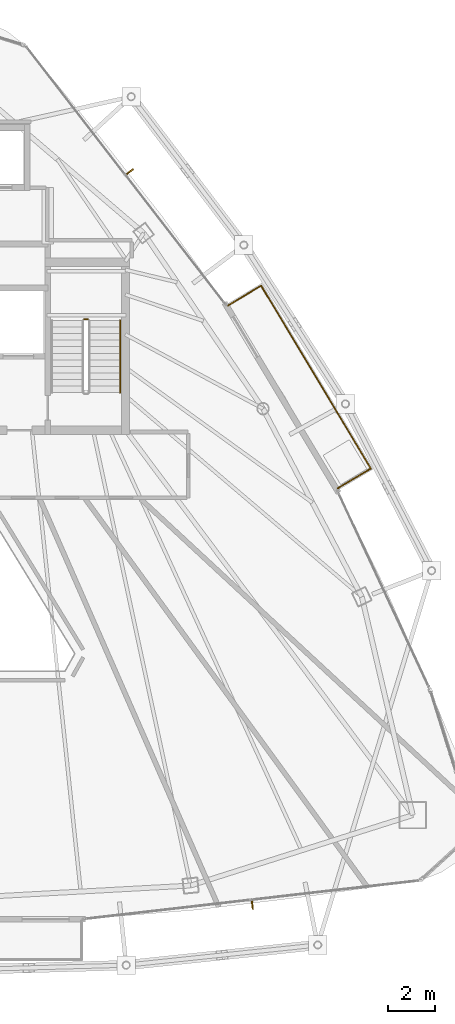
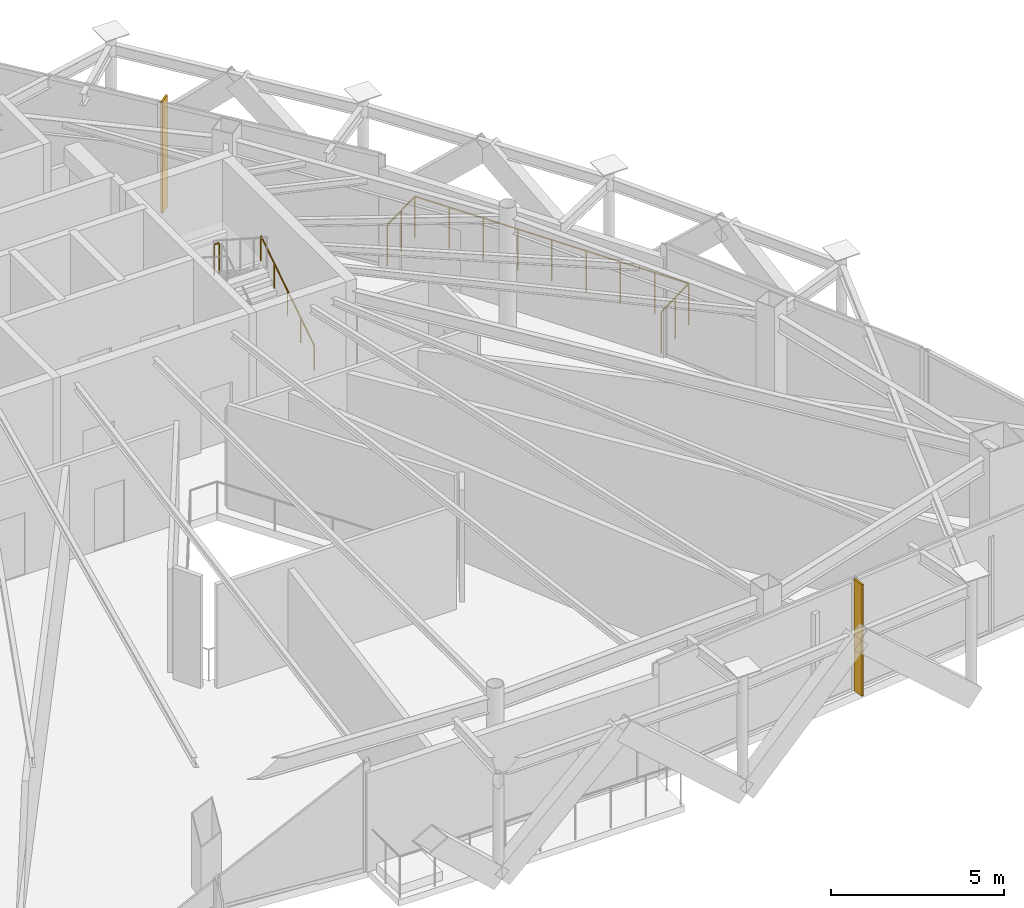
# One storey, part 22 of 22: 3 railings, 2 shading devices.
"""IFC4 building model written with IfcOpenShell, lengths in metres."""

from ifc_helpers import new_model, si_unit, direction, frame, origin, origin_2d, place, context, subcontext, project, spatial, rectangle, circle, extrude, material, layer, layer_set, type_object, element, save


model = new_model("IFC4")

# Units and contexts
model_context = context("Model", 3, precision=1e-05, world=origin(), true_north=direction((0.0, 1.0)))
body_context = subcontext(model_context, "Body", "Model", "MODEL_VIEW")
ifc_project = project(units=[si_unit("LENGTHUNIT", "METRE"), si_unit("AREAUNIT", "SQUARE_METRE"), si_unit("VOLUMEUNIT", "CUBIC_METRE"), si_unit("PLANEANGLEUNIT", "RADIAN"), si_unit("MASSUNIT", "GRAM", prefix="KILO")], contexts=[model_context])

# Site, building, storey
site_placement = place(None, origin())
site = spatial("IfcSite", under=ifc_project, at=site_placement, CompositionType="ELEMENT")
building_placement = place(site_placement, origin())
building = spatial("IfcBuilding", under=site, at=building_placement, Name="Orvanel Arch Residences", CompositionType="ELEMENT")
storey_placement = place(building_placement, frame((0.0, 0.0, 276.64990234375)))
storey = spatial("IfcBuildingStorey", under=building, at=storey_placement, Name="L79", CompositionType="ELEMENT", Elevation=276.64990234375)

# Shading devices
ifc_material_1 = material(Name="Bronze-anodised aluminium AA6063-T6", Category="aluminium")
ifc_layer = layer(ifc_material_1, 0.06005859375)
ifc_layer_set = layer_set([ifc_layer], Name="Bronze-anodised aluminium AA6063-T6")
shading_device_type = type_object("IfcShadingDeviceType", Name="FIN-BRZ-380", PredefinedType="USERDEFINED", material=ifc_layer_set)
for number, where, z_axis, x_axis, name in (
    (1, (44.97607421875, 6.530029296875, 0.0), (0.0, 0.0, 1.0), (0.113203213768, -0.993571855677, 0.0), "L79 Anodised Bronze Mullion FIN 01"),
    (2, (39.757080078125, 37.716064453125, 0.0), (0.0, 0.0, 1.0), (0.791223532967, 0.611527040186, 0.0), "L79 Anodised Bronze Mullion FIN 01"),
):
    element("IfcShadingDevice", number, at=place(storey_placement, frame(where, z_axis=z_axis, x_axis=x_axis)), inside=storey, type_object=shading_device_type, Name=name, ObjectType="FIN", PredefinedType="USERDEFINED", context=body_context, shape_type="SweptSolid", body=[
        extrude(rectangle(XDim=0.3798828125, YDim=0.06005859375, at=origin_2d()), origin(), (0.0, 0.0, 1.0), 3.949951171875),
    ])

# Railings
railing_type_1 = type_object("IfcRailingType", Name="RL-BAL-1480", PredefinedType="BALUSTRADE", material=ifc_material_1)
railing_1_placement = place(storey_placement, frame((48.60791015625, 24.251953125, 0.0)))
element("IfcRailing", 3, at=railing_1_placement, inside=storey, type_object=railing_type_1, Name="L79 Balcony Perimeter Guardrail Face 3", PredefinedType="BALUSTRADE", context=body_context, shape_type="SweptSolid", body=[
    extrude(circle(Radius=0.02392578125, at=origin_2d()), frame((0.001220703125, 0.000732421875, 1.4560546875), z_axis=(0.857545439568, 0.514408222208, 0.0), x_axis=(-0.514408222208, 0.857545439568, 0.0)), (0.0, 0.0, 1.0), 1.6376953125),
    extrude(circle(Radius=0.02392578125, at=origin_2d()), frame((1.40625, 0.84521484375, 1.4560546875), z_axis=(-0.514408668721, 0.857545171722, 0.0), x_axis=(-0.857545171722, -0.514408668721, 0.0)), (0.0, 0.0, 1.0), 9.067138671875),
    extrude(circle(Radius=0.02392578125, at=origin_2d()), frame((-3.260009765625, 8.621337890625, 1.4560546875), z_axis=(-0.857387817543, -0.514670895164, 0.0), x_axis=(0.514670895164, -0.857387817543, 0.0)), (0.0, 0.0, 1.0), 1.636962890625),
    extrude(circle(Radius=0.02099609375, at=origin_2d()), origin(), (0.0, 0.0, 1.0), 1.429931640625),
    extrude(circle(Radius=0.02099609375, at=origin_2d()), frame((0.70361328125, 0.421875, 0.0)), (0.0, 0.0, 1.0), 1.429931640625),
    extrude(circle(Radius=0.02099609375, at=origin_2d()), frame((1.406982421875, 0.843994140625, 0.0)), (0.0, 0.0, 1.0), 1.429931640625),
    extrude(circle(Radius=0.02099609375, at=origin_2d()), frame((0.82373046875, 1.816162109375, 0.0)), (0.0, 0.0, 1.0), 1.429931640625),
    extrude(circle(Radius=0.02099609375, at=origin_2d()), frame((0.240478515625, 2.78857421875, 0.0)), (0.0, 0.0, 1.0), 1.429931640625),
    extrude(circle(Radius=0.02099609375, at=origin_2d()), frame((-0.3427734375, 3.7607421875, 0.0)), (0.0, 0.0, 1.0), 1.429931640625),
    extrude(circle(Radius=0.02099609375, at=origin_2d()), frame((-0.92578125, 4.73291015625, 0.0)), (0.0, 0.0, 1.0), 1.429931640625),
    extrude(circle(Radius=0.02099609375, at=origin_2d()), frame((-1.509033203125, 5.705322265625, 0.0)), (0.0, 0.0, 1.0), 1.429931640625),
    extrude(circle(Radius=0.02099609375, at=origin_2d()), frame((-2.09228515625, 6.677490234375, 0.0)), (0.0, 0.0, 1.0), 1.429931640625),
    extrude(circle(Radius=0.02099609375, at=origin_2d()), frame((-2.675537109375, 7.64990234375, 0.0)), (0.0, 0.0, 1.0), 1.429931640625),
    extrude(circle(Radius=0.02099609375, at=origin_2d()), frame((-3.2587890625, 8.6220703125, 0.0)), (0.0, 0.0, 1.0), 1.429931640625),
    extrude(circle(Radius=0.02099609375, at=origin_2d()), frame((-3.9619140625, 8.2001953125, 0.0)), (0.0, 0.0, 1.0), 1.429931640625),
    extrude(circle(Radius=0.02099609375, at=origin_2d()), frame((-4.664794921875, 7.778076171875, 0.0)), (0.0, 0.0, 1.0), 1.429931640625),
])
ifc_material_2 = material(Name="Structural steel AS/NZS 1163 C350L0 (Grade 350)", Category="steel")
railing_type_2 = type_object("IfcRailingType", Name="RL-STAIR-GUARD", PredefinedType="GUARDRAIL", material=ifc_material_2)
railing_2_placement = place(storey_placement, frame((37.97998046875, 31.449951171875, 2.175048828125)))
element("IfcRailing", 4, at=railing_2_placement, inside=storey, type_object=railing_type_2, Name="L79 ST-2 stair guard 2", PredefinedType="GUARDRAIL", context=body_context, shape_type="SweptSolid", body=[
    extrude(circle(Radius=0.02392578125, at=origin_2d()), frame((-0.00146484375, 0.0, 1.076171875), z_axis=(-1.0, 0.0, 0.0), x_axis=(0.0, -1.0, 0.0)), (0.0, 0.0, 1.0), 0.156982421875),
    extrude(circle(Radius=0.02099609375, at=origin_2d()), origin(), (0.0, 0.0, 1.0), 1.050048828125),
    extrude(circle(Radius=0.02099609375, at=origin_2d()), frame((-0.159912109375, 0.0, 0.0)), (0.0, 0.0, 1.0), 1.050048828125),
])
railing_type_3 = type_object("IfcRailingType", Name="RL-STAIR-HAND", PredefinedType="HANDRAIL", material=ifc_material_2)
railing_3_placement = place(storey_placement, frame((39.35009765625, 28.320068359375, 0.181396484375)))
element("IfcRailing", 5, at=railing_3_placement, inside=storey, type_object=railing_type_3, Name="L79 ST-2 stair handrail 1", PredefinedType="HANDRAIL", context=body_context, shape_type="SweptSolid", body=[
    extrude(circle(Radius=0.02392578125, at=origin_2d()), frame((0.0, 0.001220703125, 0.876708984375), z_axis=(0.0, 0.839468376875, 0.543408542652), x_axis=(-1.0, 0.0, 0.0)), (0.0, 0.0, 1.0), 3.665771484375),
    extrude(circle(Radius=0.02099609375, at=origin_2d()), origin(), (0.0, 0.0, 1.0), 0.849853515625),
    extrude(circle(Radius=0.02099609375, at=origin_2d()), frame((0.0, 0.77001953125, 0.49853515625)), (0.0, 0.0, 1.0), 0.849853515625),
    extrude(circle(Radius=0.02099609375, at=origin_2d()), frame((0.0, 1.5400390625, 0.996826171875)), (0.0, 0.0, 1.0), 0.849853515625),
    extrude(circle(Radius=0.02099609375, at=origin_2d()), frame((0.0, 2.309814453125, 1.4951171875)), (0.0, 0.0, 1.0), 0.849853515625),
    extrude(circle(Radius=0.02099609375, at=origin_2d()), frame((0.0, 3.079833984375, 1.99365234375)), (0.0, 0.0, 1.0), 0.849853515625),
])

save(model, "model.ifc")
